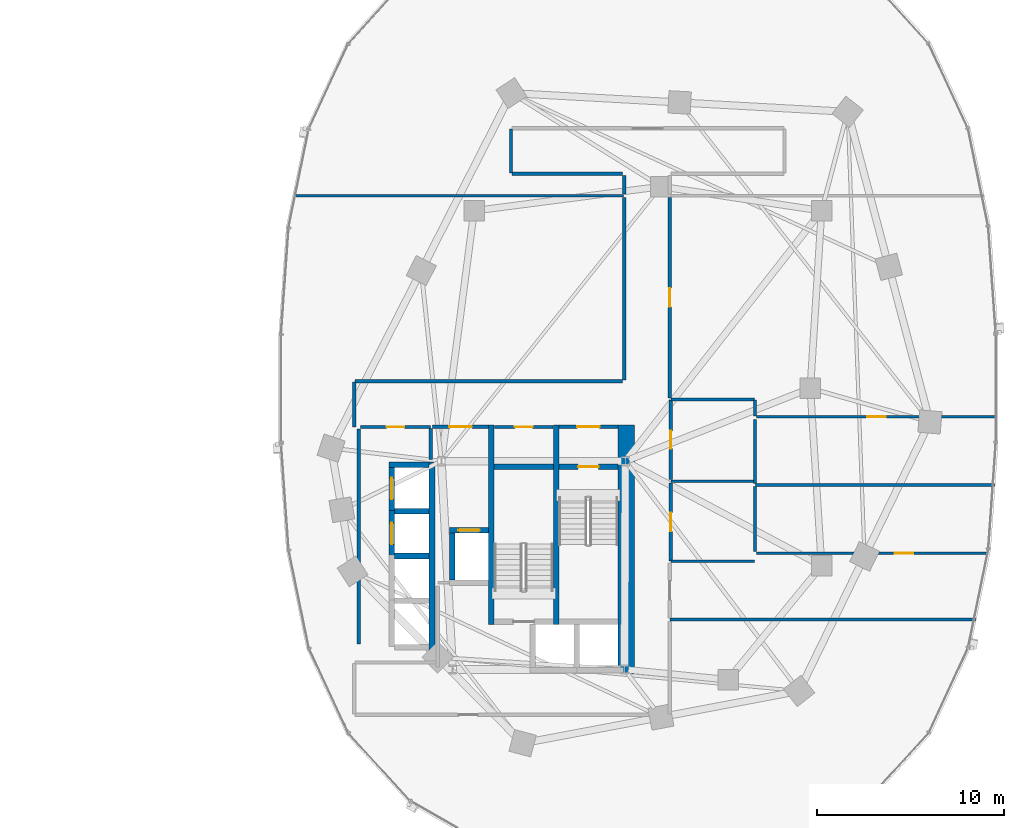
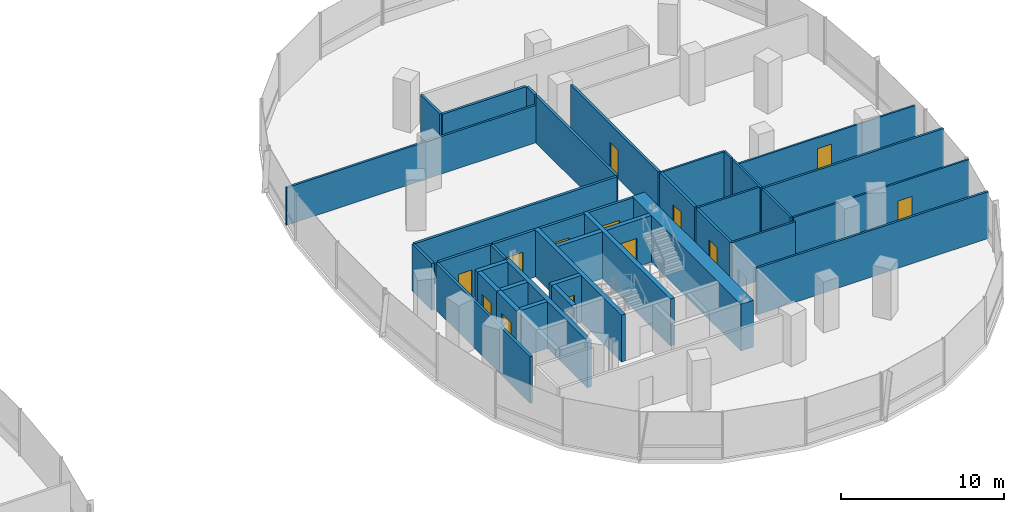
# One storey, part 13 of 21: 39 walls, 13 doors, 13 openings.
"""IFC4 building model written with IfcOpenShell, lengths in metres."""

from ifc_helpers import new_model, si_unit, direction, frame, frame_2d, origin, place, context, subcontext, project, spatial, rectangle, extrude, material, layer, layer_set, type_object, element, fill, save


model = new_model("IFC4")

# Units and contexts
model_context = context("Model", 3, precision=1e-05, world=origin(), true_north=direction((0.0, 1.0)))
body_context = subcontext(model_context, "Body", "Model", "MODEL_VIEW")
ifc_project = project(units=[si_unit("LENGTHUNIT", "METRE"), si_unit("AREAUNIT", "SQUARE_METRE"), si_unit("VOLUMEUNIT", "CUBIC_METRE"), si_unit("PLANEANGLEUNIT", "RADIAN"), si_unit("MASSUNIT", "GRAM", prefix="KILO"), si_unit("THERMODYNAMICTEMPERATUREUNIT", "KELVIN"), si_unit("POWERUNIT", "WATT")], contexts=[model_context])

# Site, building, storey
site_placement = place(None, origin())
site = spatial("IfcSite", under=ifc_project, at=site_placement, CompositionType="ELEMENT")
building_placement = place(site_placement, origin())
building = spatial("IfcBuilding", under=site, at=building_placement, Name="Cundina Bronze Exchange", CompositionType="ELEMENT")
storey_placement = place(building_placement, frame((0.0, 0.0, 54.39990234375)))
storey = spatial("IfcBuildingStorey", under=building, at=storey_placement, Name="L13", CompositionType="ELEMENT", Elevation=54.39990234375)

# Wall
ifc_material_1 = material(Name="Gypsum Fireboard Partition EI120")
ifc_layer_1 = layer(ifc_material_1, 0.179931640625, Name="Gypsum Fireboard Partition EI120")
ifc_layer_set_1 = layer_set([ifc_layer_1], Name="Gypsum Fireboard Partition EI120")
wall_type_1 = type_object("IfcWallType", Name="WL-COR-180", PredefinedType="PARTITIONING", material=ifc_layer_set_1)
wall_1_placement = place(storey_placement, frame((20.889892578125, -3.800048828125, 0.0), z_axis=(0.0, 0.0, 1.0), x_axis=(0.0, 1.0, 0.0)))
element("IfcWall", 1, at=wall_1_placement, inside=storey, type_object=wall_type_1, Name="L13 E Firefighting Lobby Side Wall", PredefinedType="PARTITIONING", context=body_context, shape_type="SweptSolid", body=[
    extrude(rectangle(XDim=1.650146484375, YDim=0.179931640625, at=frame_2d((0.8251953125, 0.0))), origin(), (0.0, 0.0, 1.0), 3.5),
])

# Wall, opening, door
wall_2_placement = place(storey_placement, frame((20.97998046875, -2.06005859375, 0.0), z_axis=(0.0, 0.0, 1.0), x_axis=(1.0, 0.0, 0.0)))
wall_2 = element("IfcWall", 2, at=wall_2_placement, inside=storey, type_object=wall_type_1, Name="L13 E Firefighting Lobby Exit Wall", PredefinedType="PARTITIONING", context=body_context, shape_type="SweptSolid", body=[
    extrude(rectangle(XDim=3.0, YDim=0.179931640625, at=frame_2d((1.5, 0.0))), origin(), (0.0, 0.0, 1.0), 3.5),
])
opening_1_placement = place(wall_2_placement, frame((0.89990234375, 0.0, 0.0)))
opening_1 = element("IfcOpeningElement", 3, at=opening_1_placement, cuts=wall_2, Name="Opening DF-01", PredefinedType="OPENING", context=body_context, shape_type="SweptSolid", body=[
    extrude(rectangle(XDim=1.199951171875, YDim=2.14990234375, at=frame_2d((0.60009765625, 1.074951171875))), frame((0.0, 0.099853515625, 0.0), z_axis=(0.0, -1.0, 0.0), x_axis=(1.0, 0.0, 0.0)), (0.0, 0.0, 1.0), 0.199951171875),
])
ifc_material_2 = material(Name="Steel ASTM A36 Painted", Category="steel")
door_type_1 = type_object("IfcDoorType", Name="DR-FFL-1200", OperationType="NOTDEFINED", PredefinedType="DOOR", material=ifc_material_2)
door_1_placement = place(opening_1_placement, origin())
door_1 = element("IfcDoor", 4, at=door_1_placement, inside=storey, type_object=door_type_1, Name="L13 E Firefighting Lobby Door", OperationType="SINGLE_SWING_LEFT", OverallHeight=2.14990234375, OverallWidth=1.199951171875, PredefinedType="DOOR", context=body_context, shape_type="SweptSolid", body=[
    extrude(rectangle(XDim=1.199951171875, YDim=2.14990234375, at=frame_2d((0.60009765625, 1.074951171875))), frame((0.0, 0.02490234375, 0.0), z_axis=(0.0, -1.0, 0.0), x_axis=(1.0, 0.0, 0.0)), (0.0, 0.0, 1.0), 0.050048828125),
])
fill(opening_1, door_1)

wall_3_placement = place(storey_placement, frame((27.739990234375, -2.06005859375, 0.0), z_axis=(0.0, 0.0, 1.0), x_axis=(1.0, 0.0, 0.0)))
wall_3 = element("IfcWall", 5, at=wall_3_placement, inside=storey, type_object=wall_type_1, Name="L13 E Stair Vestibule Exit Wall", PredefinedType="PARTITIONING", context=body_context, shape_type="SweptSolid", body=[
    extrude(rectangle(XDim=3.159912109375, YDim=0.179931640625, at=frame_2d((1.580078125, 0.0))), origin(), (0.0, 0.0, 1.0), 3.5),
])
opening_2_placement = place(wall_3_placement, frame((0.97998046875, 0.0, 0.0)))
opening_2 = element("IfcOpeningElement", 6, at=opening_2_placement, cuts=wall_3, Name="Opening DF-01", PredefinedType="OPENING", context=body_context, shape_type="SweptSolid", body=[
    extrude(rectangle(XDim=1.199951171875, YDim=2.14990234375, at=frame_2d((0.60009765625, 1.074951171875))), frame((0.0, 0.099853515625, 0.0), z_axis=(0.0, -1.0, 0.0), x_axis=(1.0, 0.0, 0.0)), (0.0, 0.0, 1.0), 0.199951171875),
])
door_2_placement = place(opening_2_placement, origin())
door_2 = element("IfcDoor", 7, at=door_2_placement, inside=storey, type_object=door_type_1, Name="L13 E Stair Vestibule Door", OperationType="SINGLE_SWING_RIGHT", OverallHeight=2.14990234375, OverallWidth=1.199951171875, PredefinedType="DOOR", context=body_context, shape_type="SweptSolid", body=[
    extrude(rectangle(XDim=1.199951171875, YDim=2.14990234375, at=frame_2d((0.60009765625, 1.074951171875))), frame((0.0, 0.02490234375, 0.0), z_axis=(0.0, -1.0, 0.0), x_axis=(1.0, 0.0, 0.0)), (0.0, 0.0, 1.0), 0.050048828125),
])
fill(opening_2, door_2)

# Wall
wall_4_placement = place(storey_placement, frame((17.02001953125, -13.679931640625, 0.0), z_axis=(0.0, 0.0, 1.0), x_axis=(0.0, 1.0, 0.0)))
element("IfcWall", 8, at=wall_4_placement, inside=storey, type_object=wall_type_1, Name="L13 Interior Partition 040", PredefinedType="PARTITIONING", context=body_context, shape_type="SweptSolid", body=[
    extrude(rectangle(XDim=11.510009765625, YDim=0.179931640625, at=frame_2d((5.7548828125, 0.0))), origin(), (0.0, 0.0, 1.0), 3.5),
])

# Wall, opening, door
wall_5_placement = place(storey_placement, frame((17.1201171875, -2.070068359375, 0.0), z_axis=(0.0, 0.0, 1.0), x_axis=(1.0, 0.0, 0.0)))
wall_5 = element("IfcWall", 9, at=wall_5_placement, inside=storey, type_object=wall_type_1, Name="L13 Interior Partition 041", PredefinedType="PARTITIONING", context=body_context, shape_type="SweptSolid", body=[
    extrude(rectangle(XDim=3.75, YDim=0.179931640625, at=frame_2d((1.875, 0.0))), origin(), (0.0, 0.0, 1.0), 3.5),
])
opening_3_placement = place(wall_5_placement, frame((1.39990234375, 0.0, 0.0)))
opening_3 = element("IfcOpeningElement", 10, at=opening_3_placement, cuts=wall_5, Name="Opening DW-01", PredefinedType="OPENING", context=body_context, shape_type="SweptSolid", body=[
    extrude(rectangle(XDim=0.949951171875, YDim=2.10009765625, at=frame_2d((0.47509765625, 1.050048828125))), frame((0.0, 0.099853515625, 0.0), z_axis=(0.0, -1.0, 0.0), x_axis=(1.0, 0.0, 0.0)), (0.0, 0.0, 1.0), 0.199951171875),
])
ifc_material_3 = material(Name="Solid Andean Oak Timber Grade A", Category="wood")
door_type_2 = type_object("IfcDoorType", Name="DR-WC-950", OperationType="NOTDEFINED", PredefinedType="DOOR", material=ifc_material_3)
door_3_placement = place(opening_3_placement, origin())
door_3 = element("IfcDoor", 11, at=door_3_placement, inside=storey, type_object=door_type_2, Name="L13 Interior Door 041", OperationType="SINGLE_SWING_LEFT", OverallHeight=2.10009765625, OverallWidth=0.949951171875, PredefinedType="DOOR", context=body_context, shape_type="SweptSolid", body=[
    extrude(rectangle(XDim=0.949951171875, YDim=2.10009765625, at=frame_2d((0.47509765625, 1.050048828125))), frame((0.0, 0.02490234375, 0.0), z_axis=(0.0, -1.0, 0.0), x_axis=(1.0, 0.0, 0.0)), (0.0, 0.0, 1.0), 0.050048828125),
])
fill(opening_3, door_3)

wall_6_placement = place(storey_placement, frame((24.300048828125, -2.070068359375, 0.0), z_axis=(0.0, 0.0, 1.0), x_axis=(1.0, 0.0, 0.0)))
wall_6 = element("IfcWall", 12, at=wall_6_placement, inside=storey, type_object=wall_type_1, Name="L13 Interior Partition 044", PredefinedType="PARTITIONING", context=body_context, shape_type="SweptSolid", body=[
    extrude(rectangle(XDim=3.119873046875, YDim=0.179931640625, at=frame_2d((1.56005859375, 0.0))), origin(), (0.0, 0.0, 1.0), 3.5),
])
opening_4_placement = place(wall_6_placement, frame((1.0849609375, 0.0, 0.0)))
opening_4 = element("IfcOpeningElement", 13, at=opening_4_placement, cuts=wall_6, Name="Opening DW-01", PredefinedType="OPENING", context=body_context, shape_type="SweptSolid", body=[
    extrude(rectangle(XDim=0.949951171875, YDim=2.10009765625, at=frame_2d((0.47509765625, 1.050048828125))), frame((0.0, 0.099853515625, 0.0), z_axis=(0.0, -1.0, 0.0), x_axis=(1.0, 0.0, 0.0)), (0.0, 0.0, 1.0), 0.199951171875),
])
door_4_placement = place(opening_4_placement, origin())
door_4 = element("IfcDoor", 14, at=door_4_placement, inside=storey, type_object=door_type_2, Name="L13 Interior Door 044", OperationType="SINGLE_SWING_LEFT", OverallHeight=2.10009765625, OverallWidth=0.949951171875, PredefinedType="DOOR", context=body_context, shape_type="SweptSolid", body=[
    extrude(rectangle(XDim=0.949951171875, YDim=2.10009765625, at=frame_2d((0.47509765625, 1.050048828125))), frame((0.0, 0.02490234375, 0.0), z_axis=(0.0, -1.0, 0.0), x_axis=(1.0, 0.0, 0.0)), (0.0, 0.0, 1.0), 0.050048828125),
])
fill(opening_4, door_4)

wall_7_placement = place(storey_placement, frame((33.719970703125, -4.8798828125, 0.0), z_axis=(0.0, 0.0, 1.0), x_axis=(0.0, 1.0, 0.0)))
wall_7 = element("IfcWall", 15, at=wall_7_placement, inside=storey, type_object=wall_type_1, Name="L13 Interior Partition 051", PredefinedType="PARTITIONING", context=body_context, shape_type="SweptSolid", body=[
    extrude(rectangle(XDim=4.259765625, YDim=0.179931640625, at=frame_2d((2.1298828125, 0.0))), origin(), (0.0, 0.0, 1.0), 3.5),
])
opening_5_placement = place(wall_7_placement, frame((1.655029296875, 0.0, 0.0)))
opening_5 = element("IfcOpeningElement", 16, at=opening_5_placement, cuts=wall_7, Name="Opening DW-01", PredefinedType="OPENING", context=body_context, shape_type="SweptSolid", body=[
    extrude(rectangle(XDim=0.949951171875, YDim=2.10009765625, at=frame_2d((0.47509765625, 1.050048828125))), frame((0.0, 0.099853515625, 0.0), z_axis=(0.0, -1.0, 0.0), x_axis=(1.0, 0.0, 0.0)), (0.0, 0.0, 1.0), 0.199951171875),
])
door_5_placement = place(opening_5_placement, origin())
door_5 = element("IfcDoor", 17, at=door_5_placement, inside=storey, type_object=door_type_2, Name="L13 Interior Door 051", OperationType="SINGLE_SWING_LEFT", OverallHeight=2.10009765625, OverallWidth=0.949951171875, PredefinedType="DOOR", context=body_context, shape_type="SweptSolid", body=[
    extrude(rectangle(XDim=0.949951171875, YDim=2.10009765625, at=frame_2d((0.47509765625, 1.050048828125))), frame((0.0, 0.02490234375, 0.0), z_axis=(0.0, -1.0, 0.0), x_axis=(1.0, 0.0, 0.0)), (0.0, 0.0, 1.0), 0.050048828125),
])
fill(opening_5, door_5)

wall_8_placement = place(storey_placement, frame((33.719970703125, -9.239990234375, 0.0), z_axis=(0.0, 0.0, 1.0), x_axis=(0.0, 1.0, 0.0)))
wall_8 = element("IfcWall", 18, at=wall_8_placement, inside=storey, type_object=wall_type_1, Name="L13 Interior Partition 052", PredefinedType="PARTITIONING", context=body_context, shape_type="SweptSolid", body=[
    extrude(rectangle(XDim=4.159912109375, YDim=0.179931640625, at=frame_2d((2.080078125, 0.0))), origin(), (0.0, 0.0, 1.0), 3.5),
])
opening_6_placement = place(wall_8_placement, frame((1.580078125, 0.0, 0.0)))
opening_6 = element("IfcOpeningElement", 19, at=opening_6_placement, cuts=wall_8, Name="Opening DO-01", PredefinedType="OPENING", context=body_context, shape_type="SweptSolid", body=[
    extrude(rectangle(XDim=1.0, YDim=2.14990234375, at=frame_2d((0.5, 1.074951171875))), frame((0.0, 0.099853515625, 0.0), z_axis=(0.0, -1.0, 0.0), x_axis=(1.0, 0.0, 0.0)), (0.0, 0.0, 1.0), 0.199951171875),
])
door_type_3 = type_object("IfcDoorType", Name="DR-OFF-1000", OperationType="NOTDEFINED", PredefinedType="DOOR", material=ifc_material_3)
door_6_placement = place(opening_6_placement, origin())
door_6 = element("IfcDoor", 20, at=door_6_placement, inside=storey, type_object=door_type_3, Name="L13 Interior Door 052", OperationType="SINGLE_SWING_LEFT", OverallHeight=2.14990234375, OverallWidth=1.0, PredefinedType="DOOR", context=body_context, shape_type="SweptSolid", body=[
    extrude(rectangle(XDim=1.0, YDim=2.14990234375, at=frame_2d((0.5, 1.074951171875))), frame((0.0, 0.02490234375, 0.0), z_axis=(0.0, -1.0, 0.0), x_axis=(1.0, 0.0, 0.0)), (0.0, 0.0, 1.0), 0.050048828125),
])
fill(opening_6, door_6)

# Walls
wall_9_placement = place(storey_placement, frame((31.14990234375, 0.3701171875, 0.0), z_axis=(0.0, 0.0, 1.0), x_axis=(-1.0, 0.0, 0.0)))
element("IfcWall", 21, at=wall_9_placement, inside=storey, type_object=wall_type_1, Name="L13 Interior Partition 059", PredefinedType="PARTITIONING", context=body_context, shape_type="SweptSolid", body=[
    extrude(rectangle(XDim=14.328369140625, YDim=0.179931640625, at=frame_2d((7.1640625, 0.0))), origin(), (0.0, 0.0, 1.0), 3.5),
])
wall_10_placement = place(storey_placement, frame((31.22998046875, 10.219970703125, 0.0), z_axis=(0.0, 0.0, 1.0), x_axis=(0.0, -1.0, 0.0)))
element("IfcWall", 22, at=wall_10_placement, inside=storey, type_object=wall_type_1, Name="L13 Interior Partition 060", PredefinedType="PARTITIONING", context=body_context, shape_type="SweptSolid", body=[
    extrude(rectangle(XDim=9.77001953125, YDim=0.179931640625, at=frame_2d((4.885009765625, 0.0))), origin(), (0.0, 0.0, 1.0), 3.5),
])
wall_11_placement = place(storey_placement, frame((16.780029296875, 0.32861328125, 0.0), z_axis=(0.0, 0.0, 1.0), x_axis=(0.0, -1.0, 0.0)))
element("IfcWall", 23, at=wall_11_placement, inside=storey, type_object=wall_type_1, Name="L13 Interior Partition 064", PredefinedType="PARTITIONING", context=body_context, shape_type="SweptSolid", body=[
    extrude(rectangle(XDim=2.38720703125, YDim=0.179931640625, at=frame_2d((1.193603515625, 0.0))), origin(), (0.0, 0.0, 1.0), 3.5),
])

# Wall, opening, door
wall_12_placement = place(storey_placement, frame((33.669921875, -0.508544921875, 0.0), z_axis=(0.0, 0.0, 1.0), x_axis=(0.0, 1.0, 0.0)))
wall_12 = element("IfcWall", 24, at=wall_12_placement, inside=storey, type_object=wall_type_1, Name="L13 Interior Partition 065", PredefinedType="PARTITIONING", context=body_context, shape_type="SweptSolid", body=[
    extrude(rectangle(XDim=10.728515625, YDim=0.179931640625, at=frame_2d((5.3642578125, 0.0))), origin(), (0.0, 0.0, 1.0), 3.5),
])
opening_7_placement = place(wall_12_placement, frame((4.8642578125, 0.0, 0.0)))
opening_7 = element("IfcOpeningElement", 25, at=opening_7_placement, cuts=wall_12, Name="Opening DO-01", PredefinedType="OPENING", context=body_context, shape_type="SweptSolid", body=[
    extrude(rectangle(XDim=1.0, YDim=2.14990234375, at=frame_2d((0.5, 1.074951171875))), frame((0.0, 0.099853515625, 0.0), z_axis=(0.0, -1.0, 0.0), x_axis=(1.0, 0.0, 0.0)), (0.0, 0.0, 1.0), 0.199951171875),
])
door_7_placement = place(opening_7_placement, origin())
door_7 = element("IfcDoor", 26, at=door_7_placement, inside=storey, type_object=door_type_3, Name="L13 Interior Door 065", OperationType="SINGLE_SWING_RIGHT", OverallHeight=2.14990234375, OverallWidth=1.0, PredefinedType="DOOR", context=body_context, shape_type="SweptSolid", body=[
    extrude(rectangle(XDim=1.0, YDim=2.14990234375, at=frame_2d((0.5, 1.074951171875))), frame((0.0, 0.02490234375, 0.0), z_axis=(0.0, -1.0, 0.0), x_axis=(1.0, 0.0, 0.0)), (0.0, 0.0, 1.0), 0.050048828125),
])
fill(opening_7, door_7)

# Walls
wall_13_placement = place(storey_placement, frame((25.221435546875, 11.47998046875, 0.0), z_axis=(0.0, 0.0, 1.0), x_axis=(1.0, 0.0, 0.0)))
element("IfcWall", 27, at=wall_13_placement, inside=storey, type_object=wall_type_1, Name="L13 Interior Partition 068", PredefinedType="PARTITIONING", context=body_context, shape_type="SweptSolid", body=[
    extrude(rectangle(XDim=5.928466796875, YDim=0.179931640625, at=frame_2d((2.96435546875, 0.0))), origin(), (0.0, 0.0, 1.0), 3.5),
])
wall_14_placement = place(storey_placement, frame((25.179931640625, 13.87841796875, 0.0), z_axis=(0.0, 0.0, 1.0), x_axis=(0.0, -1.0, 0.0)))
element("IfcWall", 28, at=wall_14_placement, inside=storey, type_object=wall_type_1, Name="L13 Interior Partition 070", PredefinedType="PARTITIONING", context=body_context, shape_type="SweptSolid", body=[
    extrude(rectangle(XDim=2.35693359375, YDim=0.179931640625, at=frame_2d((1.178466796875, 0.0))), origin(), (0.0, 0.0, 1.0), 3.5),
])
wall_15_placement = place(storey_placement, frame((31.22998046875, 11.39990234375, 0.0), z_axis=(0.0, 0.0, 1.0), x_axis=(0.0, -1.0, 0.0)))
element("IfcWall", 29, at=wall_15_placement, inside=storey, type_object=wall_type_1, Name="L13 Interior Partition 072", PredefinedType="PARTITIONING", context=body_context, shape_type="SweptSolid", body=[
    extrude(rectangle(XDim=1.0, YDim=0.179931640625, at=frame_2d((0.5, 0.0))), origin(), (0.0, 0.0, 1.0), 3.5),
])
ifc_material_4 = material(Name="Concrete C60/75", Category="concrete")
ifc_layer_2 = layer(ifc_material_4, 0.89990234375, Name="Concrete C60/75", Category="concrete")
ifc_layer_set_2 = layer_set([ifc_layer_2], Name="Concrete C60/75")
wall_type_2 = type_object("IfcWallType", Name="WL-CORE-900", PredefinedType="SHEAR", material=ifc_layer_set_2)
wall_16_placement = place(storey_placement, frame((31.35009765625, -15.300048828125, 0.0), z_axis=(0.0, 0.0, 1.0), x_axis=(0.0, 1.0, 0.0)))
element("IfcWall", 30, at=wall_16_placement, inside=storey, type_object=wall_type_2, Name="L13 E Primary Core Shear Spine Wall", PredefinedType="SHEAR", context=body_context, shape_type="SweptSolid", body=[
    extrude(rectangle(XDim=13.330078125, YDim=0.89990234375, at=frame_2d((6.6650390625, 0.0))), origin(), (0.0, 0.0, 1.0), 3.5),
])

# Wall, opening, door
ifc_material_5 = material(Name="Gypsum Acoustic Partition EI60")
ifc_layer_3 = layer(ifc_material_5, 0.125, Name="Gypsum Acoustic Partition EI60")
ifc_layer_set_3 = layer_set([ifc_layer_3], Name="Gypsum Acoustic Partition EI60")
wall_type_3 = type_object("IfcWallType", Name="WL-OFF-125", PredefinedType="PARTITIONING", material=ifc_layer_set_3)
wall_17_placement = place(storey_placement, frame((50.74169921875, -8.830078125, 0.0), z_axis=(0.0, 0.0, 1.0), x_axis=(-1.0, 0.0, 0.0)))
wall_17 = element("IfcWall", 31, at=wall_17_placement, inside=storey, type_object=wall_type_3, Name="L13 Interior Partition 073", PredefinedType="PARTITIONING", context=body_context, shape_type="SweptSolid", body=[
    extrude(rectangle(XDim=12.421630859375, YDim=0.125, at=frame_2d((6.2109375, 0.0))), origin(), (0.0, 0.0, 1.0), 3.5),
])
opening_8_placement = place(wall_17_placement, frame((4.03369140625, 0.0, 0.0)))
opening_8 = element("IfcOpeningElement", 32, at=opening_8_placement, cuts=wall_17, Name="Opening DO-01", PredefinedType="OPENING", context=body_context, shape_type="SweptSolid", body=[
    extrude(rectangle(XDim=1.0, YDim=2.14990234375, at=frame_2d((0.5, 1.074951171875))), frame((0.0, 0.072509765625, 0.0), z_axis=(0.0, -1.0, 0.0), x_axis=(1.0, 0.0, 0.0)), (0.0, 0.0, 1.0), 0.14501953125),
])
door_8_placement = place(opening_8_placement, origin())
door_8 = element("IfcDoor", 33, at=door_8_placement, inside=storey, type_object=door_type_3, Name="L13 Interior Door 073", OperationType="SINGLE_SWING_LEFT", OverallHeight=2.14990234375, OverallWidth=1.0, PredefinedType="DOOR", context=body_context, shape_type="SweptSolid", body=[
    extrude(rectangle(XDim=1.0, YDim=2.14990234375, at=frame_2d((0.5, 1.074951171875))), frame((0.0, 0.02490234375, 0.0), z_axis=(0.0, -1.0, 0.0), x_axis=(1.0, 0.0, 0.0)), (0.0, 0.0, 1.0), 0.050048828125),
])
fill(opening_8, door_8)

wall_18_placement = place(storey_placement, frame((38.320068359375, -1.530029296875, 0.0), z_axis=(0.0, 0.0, 1.0), x_axis=(1.0, 0.0, 0.0)))
wall_18 = element("IfcWall", 34, at=wall_18_placement, inside=storey, type_object=wall_type_3, Name="L13 Interior Partition 074", PredefinedType="PARTITIONING", context=body_context, shape_type="SweptSolid", body=[
    extrude(rectangle(XDim=12.837890625, YDim=0.125, at=frame_2d((6.4189453125, 0.0))), origin(), (0.0, 0.0, 1.0), 2.967041015625),
])
opening_9_placement = place(wall_18_placement, frame((5.9189453125, 0.0, 0.0)))
opening_9 = element("IfcOpeningElement", 35, at=opening_9_placement, cuts=wall_18, Name="Opening DO-01", PredefinedType="OPENING", context=body_context, shape_type="SweptSolid", body=[
    extrude(rectangle(XDim=1.0, YDim=2.14990234375, at=frame_2d((0.5, 1.074951171875))), frame((0.0, 0.072509765625, 0.0), z_axis=(0.0, -1.0, 0.0), x_axis=(1.0, 0.0, 0.0)), (0.0, 0.0, 1.0), 0.14501953125),
])
door_9_placement = place(opening_9_placement, origin())
door_9 = element("IfcDoor", 36, at=door_9_placement, inside=storey, type_object=door_type_3, Name="L13 Interior Door 074", OperationType="SINGLE_SWING_LEFT", OverallHeight=2.14990234375, OverallWidth=1.0, PredefinedType="DOOR", context=body_context, shape_type="SweptSolid", body=[
    extrude(rectangle(XDim=1.0, YDim=2.14990234375, at=frame_2d((0.5, 1.074951171875))), frame((0.0, 0.02490234375, 0.0), z_axis=(0.0, -1.0, 0.0), x_axis=(1.0, 0.0, 0.0)), (0.0, 0.0, 1.0), 0.050048828125),
])
fill(opening_9, door_9)

# Walls
ifc_material_6 = material(Name="Concrete C50/60", Category="concrete")
ifc_layer_4 = layer(ifc_material_6, 0.300048828125, Name="Concrete C50/60", Category="concrete")
ifc_layer_set_4 = layer_set([ifc_layer_4], Name="Concrete C50/60")
wall_type_4 = type_object("IfcWallType", Name="WL-SHFT-300", PredefinedType="SHEAR", material=ifc_layer_set_4)
for number, where, z_axis, x_axis, name in (
    (37, (27.590087890625, -12.64990234375, 0.0), (0.0, 0.0, 1.0), (0.0, 1.0, 0.0), "L13 E Stair Shaft Dividing Shear Wall"),
    (38, (24.1298828125, -12.64990234375, 0.0), (0.0, 0.0, 1.0), (0.0, 1.0, 0.0), "L13 E Stair 2 East Shear Wall"),
):
    element("IfcWall", number, at=place(storey_placement, frame(where, z_axis=z_axis, x_axis=x_axis)), inside=storey, type_object=wall_type_4, Name=name, PredefinedType="SHEAR", context=body_context, shape_type="SweptSolid", body=[
        extrude(rectangle(XDim=10.679931640625, YDim=0.300048828125, at=frame_2d((5.33984375, 0.0))), origin(), (0.0, 0.0, 1.0), 3.5),
    ])

# Wall, opening, door
wall_19_placement = place(storey_placement, frame((27.739990234375, -4.199951171875, 0.0), z_axis=(0.0, 0.0, 1.0), x_axis=(1.0, 0.0, 0.0)))
wall_19 = element("IfcWall", 39, at=wall_19_placement, inside=storey, type_object=wall_type_4, Name="L13 Stair E1 Landing Wall", PredefinedType="SHEAR", context=body_context, shape_type="SweptSolid", body=[
    extrude(rectangle(XDim=3.159912109375, YDim=0.300048828125, at=frame_2d((1.580078125, 0.0))), origin(), (0.0, 0.0, 1.0), 3.5),
])
opening_10_placement = place(wall_19_placement, frame((1.030029296875, 0.0, 0.0)))
opening_10 = element("IfcOpeningElement", 40, at=opening_10_placement, cuts=wall_19, Name="Opening DS-01", PredefinedType="OPENING", context=body_context, shape_type="SweptSolid", body=[
    extrude(rectangle(XDim=1.10009765625, YDim=2.14990234375, at=frame_2d((0.550048828125, 1.074951171875))), frame((0.0, 0.159912109375, 0.0), z_axis=(0.0, -1.0, 0.0), x_axis=(1.0, 0.0, 0.0)), (0.0, 0.0, 1.0), 0.320068359375),
])
door_type_4 = type_object("IfcDoorType", Name="DR-STR-1100", OperationType="NOTDEFINED", PredefinedType="DOOR", material=ifc_material_2)
door_10_placement = place(opening_10_placement, origin())
door_10 = element("IfcDoor", 41, at=door_10_placement, inside=storey, type_object=door_type_4, Name="L13 Smokeproof Stair E1 Door", OperationType="SINGLE_SWING_LEFT", OverallHeight=2.14990234375, OverallWidth=1.10009765625, PredefinedType="DOOR", context=body_context, shape_type="SweptSolid", body=[
    extrude(rectangle(XDim=1.10009765625, YDim=2.14990234375, at=frame_2d((0.550048828125, 1.074951171875))), frame((0.0, 0.02490234375, 0.0), z_axis=(0.0, -1.0, 0.0), x_axis=(1.0, 0.0, 0.0)), (0.0, 0.0, 1.0), 0.050048828125),
])
fill(opening_10, door_10)

# Wall
wall_20_placement = place(storey_placement, frame((24.280029296875, -4.199951171875, 0.0), z_axis=(0.0, 0.0, 1.0), x_axis=(1.0, 0.0, 0.0)))
element("IfcWall", 42, at=wall_20_placement, inside=storey, type_object=wall_type_4, Name="L13 Stair E2 Far Shaft Wall", PredefinedType="SHEAR", context=body_context, shape_type="SweptSolid", body=[
    extrude(rectangle(XDim=3.159912109375, YDim=0.300048828125, at=frame_2d((1.580078125, 0.0))), origin(), (0.0, 0.0, 1.0), 3.5),
])

# Wall, opening, door
wall_21_placement = place(storey_placement, frame((21.8798828125, -7.60009765625, 0.0), z_axis=(0.0, 0.0, 1.0), x_axis=(1.0, 0.0, 0.0)))
wall_21 = element("IfcWall", 43, at=wall_21_placement, inside=storey, type_object=wall_type_4, Name="L13 FFL-E Hoistway Front Wall", PredefinedType="SHEAR", context=body_context, shape_type="SweptSolid", body=[
    extrude(rectangle(XDim=2.10009765625, YDim=0.300048828125, at=frame_2d((1.050048828125, 0.0))), origin(), (0.0, 0.0, 1.0), 3.5),
])
opening_11_placement = place(wall_21_placement, frame((0.47509765625, 0.0, 0.0)))
opening_11 = element("IfcOpeningElement", 44, at=opening_11_placement, cuts=wall_21, Name="Opening LD-01", PredefinedType="OPENING", context=body_context, shape_type="SweptSolid", body=[
    extrude(rectangle(XDim=1.14990234375, YDim=2.199951171875, at=frame_2d((0.574951171875, 1.10009765625))), frame((0.0, 0.159912109375, 0.0), z_axis=(0.0, -1.0, 0.0), x_axis=(1.0, 0.0, 0.0)), (0.0, 0.0, 1.0), 0.320068359375),
])
door_type_5 = type_object("IfcDoorType", Name="DR-LND-1150", OperationType="NOTDEFINED", PredefinedType="TRAPDOOR", material=ifc_material_2)
door_11_placement = place(opening_11_placement, origin())
door_11 = element("IfcDoor", 45, at=door_11_placement, inside=storey, type_object=door_type_5, Name="L13 FFL-E Sliding Landing Door", OperationType="SLIDING_TO_LEFT", OverallHeight=2.199951171875, OverallWidth=1.14990234375, PredefinedType="TRAPDOOR", context=body_context, shape_type="SweptSolid", body=[
    extrude(rectangle(XDim=1.14990234375, YDim=2.199951171875, at=frame_2d((0.574951171875, 1.10009765625))), frame((0.0, 0.02490234375, 0.0), z_axis=(0.0, -1.0, 0.0), x_axis=(1.0, 0.0, 0.0)), (0.0, 0.0, 1.0), 0.050048828125),
])
fill(opening_11, door_11)

# Walls
wall_22_placement = place(storey_placement, frame((22.030029296875, -10.25, 0.0), z_axis=(0.0, 0.0, 1.0), x_axis=(0.0, 1.0, 0.0)))
element("IfcWall", 46, at=wall_22_placement, inside=storey, type_object=wall_type_4, Name="L13 FFL-E Hoistway Side Wall", PredefinedType="SHEAR", context=body_context, shape_type="SweptSolid", body=[
    extrude(rectangle(XDim=2.5, YDim=0.300048828125, at=frame_2d((1.25, 0.0))), origin(), (0.0, 0.0, 1.0), 3.5),
])
wall_23_placement = place(storey_placement, frame((20.949951171875, -14.0, 0.0), z_axis=(0.0, 0.0, 1.0), x_axis=(0.0, 1.0, 0.0)))
element("IfcWall", 47, at=wall_23_placement, inside=storey, type_object=wall_type_4, Name="L13 E Passenger Bank Hoistway Back Wall", PredefinedType="SHEAR", context=body_context, shape_type="SweptSolid", body=[
    extrude(rectangle(XDim=10.050048828125, YDim=0.300048828125, at=frame_2d((5.02490234375, 0.0))), origin(), (0.0, 0.0, 1.0), 3.5),
])
wall_24_placement = place(storey_placement, frame((18.64990234375, -4.10009765625, 0.0), z_axis=(0.0, 0.0, 1.0), x_axis=(1.0, 0.0, 0.0)))
element("IfcWall", 48, at=wall_24_placement, inside=storey, type_object=wall_type_4, Name="L13 E Passenger Bank North Cap Wall", PredefinedType="SHEAR", context=body_context, shape_type="SweptSolid", body=[
    extrude(rectangle(XDim=2.150146484375, YDim=0.300048828125, at=frame_2d((1.0751953125, 0.0))), origin(), (0.0, 0.0, 1.0), 3.5),
])
for number, where, z_axis, x_axis, name in (
    (49, (18.949951171875, -8.97509765625, 0.0), (0.0, 0.0, 1.0), (1.0, 0.0, 0.0), "L13 E Passenger Hoistway Divider 2"),
    (50, (18.949951171875, -6.574951171875, 0.0), (0.0, 0.0, 1.0), (1.0, 0.0, 0.0), "L13 E Passenger Hoistway Divider 3"),
):
    element("IfcWall", number, at=place(storey_placement, frame(where, z_axis=z_axis, x_axis=x_axis)), inside=storey, type_object=wall_type_4, Name=name, PredefinedType="SHEAR", context=body_context, shape_type="SweptSolid", body=[
        extrude(rectangle(XDim=1.85009765625, YDim=0.300048828125, at=frame_2d((0.925048828125, 0.0))), origin(), (0.0, 0.0, 1.0), 3.5),
    ])

# Wall, opening, door
wall_25_placement = place(storey_placement, frame((18.800048828125, -9.02001953125, 0.0), z_axis=(0.0, 0.0, 1.0), x_axis=(0.0, 1.0, 0.0)))
wall_25 = element("IfcWall", 51, at=wall_25_placement, inside=storey, type_object=wall_type_4, Name="L13 PL-E1 Hoistway Front Wall", PredefinedType="SHEAR", context=body_context, shape_type="SweptSolid", body=[
    extrude(rectangle(XDim=2.489990234375, YDim=0.300048828125, at=frame_2d((1.2451171875, 0.0))), origin(), (0.0, 0.0, 1.0), 3.5),
])
opening_12_placement = place(wall_25_placement, frame((0.669921875, 0.0, 0.0)))
opening_12 = element("IfcOpeningElement", 52, at=opening_12_placement, cuts=wall_25, Name="Opening LD-01", PredefinedType="OPENING", context=body_context, shape_type="SweptSolid", body=[
    extrude(rectangle(XDim=1.14990234375, YDim=2.199951171875, at=frame_2d((0.574951171875, 1.10009765625))), frame((0.0, 0.159912109375, 0.0), z_axis=(0.0, -1.0, 0.0), x_axis=(1.0, 0.0, 0.0)), (0.0, 0.0, 1.0), 0.320068359375),
])
door_12_placement = place(opening_12_placement, origin())
door_12 = element("IfcDoor", 53, at=door_12_placement, inside=storey, type_object=door_type_5, Name="L13 PL-E1 Sliding Landing Door", OperationType="SLIDING_TO_LEFT", OverallHeight=2.199951171875, OverallWidth=1.14990234375, PredefinedType="TRAPDOOR", context=body_context, shape_type="SweptSolid", body=[
    extrude(rectangle(XDim=1.14990234375, YDim=2.199951171875, at=frame_2d((0.574951171875, 1.10009765625))), frame((0.0, 0.02490234375, 0.0), z_axis=(0.0, -1.0, 0.0), x_axis=(1.0, 0.0, 0.0)), (0.0, 0.0, 1.0), 0.050048828125),
])
fill(opening_12, door_12)

wall_26_placement = place(storey_placement, frame((18.800048828125, -6.6201171875, 0.0), z_axis=(0.0, 0.0, 1.0), x_axis=(0.0, 1.0, 0.0)))
wall_26 = element("IfcWall", 54, at=wall_26_placement, inside=storey, type_object=wall_type_4, Name="L13 PL-E2 Hoistway Front Wall", PredefinedType="SHEAR", context=body_context, shape_type="SweptSolid", body=[
    extrude(rectangle(XDim=2.490234375, YDim=0.300048828125, at=frame_2d((1.2451171875, 0.0))), origin(), (0.0, 0.0, 1.0), 3.5),
])
opening_13_placement = place(wall_26_placement, frame((0.669921875, 0.0, 0.0)))
opening_13 = element("IfcOpeningElement", 55, at=opening_13_placement, cuts=wall_26, Name="Opening LD-01", PredefinedType="OPENING", context=body_context, shape_type="SweptSolid", body=[
    extrude(rectangle(XDim=1.14990234375, YDim=2.199951171875, at=frame_2d((0.574951171875, 1.10009765625))), frame((0.0, 0.159912109375, 0.0), z_axis=(0.0, -1.0, 0.0), x_axis=(1.0, 0.0, 0.0)), (0.0, 0.0, 1.0), 0.320068359375),
])
door_13_placement = place(opening_13_placement, origin())
door_13 = element("IfcDoor", 56, at=door_13_placement, inside=storey, type_object=door_type_5, Name="L13 PL-E2 Sliding Landing Door", OperationType="SLIDING_TO_LEFT", OverallHeight=2.199951171875, OverallWidth=1.14990234375, PredefinedType="TRAPDOOR", context=body_context, shape_type="SweptSolid", body=[
    extrude(rectangle(XDim=1.14990234375, YDim=2.199951171875, at=frame_2d((0.574951171875, 1.10009765625))), frame((0.0, 0.02490234375, 0.0), z_axis=(0.0, -1.0, 0.0), x_axis=(1.0, 0.0, 0.0)), (0.0, 0.0, 1.0), 0.050048828125),
])
fill(opening_13, door_13)

# Walls
ifc_layer_5 = layer(ifc_material_5, 0.14990234375, Name="Gypsum Acoustic Partition EI60")
ifc_layer_set_5 = layer_set([ifc_layer_5], Name="Gypsum Acoustic Partition EI60")
wall_type_5 = type_object("IfcWallType", Name="WL-TEN-150", PredefinedType="PARTITIONING", material=ifc_layer_set_5)
wall_27_placement = place(storey_placement, frame((13.536376953125, 10.31005859375, 0.0), z_axis=(0.0, 0.0, 1.0), x_axis=(1.0, 0.0, 0.0)))
element("IfcWall", 57, at=wall_27_placement, inside=storey, type_object=wall_type_5, Name="L13 Interior Partition 053", PredefinedType="PARTITIONING", context=body_context, shape_type="SweptSolid", body=[
    extrude(rectangle(XDim=17.66357421875, YDim=0.14990234375, at=frame_2d((8.831787109375, 0.0))), origin(), (0.0, 0.0, 1.0), 2.80517578125),
])
wall_28_placement = place(storey_placement, frame((38.27001953125, -5.179931640625, 0.0), z_axis=(0.0, 0.0, 1.0), x_axis=(1.0, 0.0, 0.0)))
element("IfcWall", 58, at=wall_28_placement, inside=storey, type_object=wall_type_5, Name="L13 Interior Partition 055", PredefinedType="PARTITIONING", context=body_context, shape_type="SweptSolid", body=[
    extrude(rectangle(XDim=12.779541015625, YDim=0.14990234375, at=frame_2d((6.3896484375, 0.0))), origin(), (0.0, 0.0, 1.0), 3.5),
])
wall_29_placement = place(storey_placement, frame((33.699951171875, -12.3798828125, 0.0), z_axis=(0.0, 0.0, 1.0), x_axis=(1.0, 0.0, 0.0)))
element("IfcWall", 59, at=wall_29_placement, inside=storey, type_object=wall_type_5, Name="L13 Interior Partition 056", PredefinedType="PARTITIONING", context=body_context, shape_type="SweptSolid", body=[
    extrude(rectangle(XDim=16.338134765625, YDim=0.14990234375, at=frame_2d((8.1689453125, 0.0))), origin(), (0.0, 0.0, 1.0), 3.5),
])
ifc_material_7 = material(Name="Moisture-Resistant Masonry Block Grade M15", Category="masonry")
ifc_layer_6 = layer(ifc_material_7, 0.139892578125, Name="Moisture-Resistant Masonry Block Grade M15", Category="masonry")
ifc_layer_set_6 = layer_set([ifc_layer_6], Name="Moisture-Resistant Masonry Block Grade M15")
wall_type_6 = type_object("IfcWallType", Name="WL-WET-140", PredefinedType="PARTITIONING", material=ifc_layer_set_6)
wall_30_placement = place(storey_placement, frame((38.239990234375, -8.7451171875, 0.0), z_axis=(0.0, 0.0, 1.0), x_axis=(0.0, 1.0, 0.0)))
element("IfcWall", 60, at=wall_30_placement, inside=storey, type_object=wall_type_6, Name="L13 Interior Partition 045", PredefinedType="PARTITIONING", context=body_context, shape_type="SweptSolid", body=[
    extrude(rectangle(XDim=3.480224609375, YDim=0.139892578125, at=frame_2d((1.740234375, 0.0))), origin(), (0.0, 0.0, 1.0), 3.5),
])
wall_31_placement = place(storey_placement, frame((38.239990234375, -5.094970703125, 0.0), z_axis=(0.0, 0.0, 1.0), x_axis=(0.0, 1.0, 0.0)))
element("IfcWall", 61, at=wall_31_placement, inside=storey, type_object=wall_type_6, Name="L13 Interior Partition 046", PredefinedType="PARTITIONING", context=body_context, shape_type="SweptSolid", body=[
    extrude(rectangle(XDim=3.429931640625, YDim=0.139892578125, at=frame_2d((1.71484375, 0.0))), origin(), (0.0, 0.0, 1.0), 3.5),
])
wall_32_placement = place(storey_placement, frame((38.239990234375, -1.4951171875, 0.0), z_axis=(0.0, 0.0, 1.0), x_axis=(0.0, 1.0, 0.0)))
element("IfcWall", 62, at=wall_32_placement, inside=storey, type_object=wall_type_6, Name="L13 Interior Partition 047", PredefinedType="PARTITIONING", context=body_context, shape_type="SweptSolid", body=[
    extrude(rectangle(XDim=0.875, YDim=0.139892578125, at=frame_2d((0.4375, 0.0))), origin(), (0.0, 0.0, 1.0), 3.5),
])
for number, where, z_axis, x_axis, name in (
    (63, (33.739990234375, -0.60009765625, 0.0), (0.0, 0.0, 1.0), (1.0, 0.0, 0.0), "L13 Interior Partition 048"),
    (64, (33.739990234375, -4.97998046875, 0.0), (0.0, 0.0, 1.0), (1.0, 0.0, 0.0), "L13 Interior Partition 049"),
    (65, (33.739990234375, -9.260009765625, 0.0), (0.0, 0.0, 1.0), (1.0, 0.0, 0.0), "L13 Interior Partition 050"),
):
    element("IfcWall", number, at=place(storey_placement, frame(where, z_axis=z_axis, x_axis=x_axis)), inside=storey, type_object=wall_type_6, Name=name, PredefinedType="PARTITIONING", context=body_context, shape_type="SweptSolid", body=[
        extrude(rectangle(XDim=4.47998046875, YDim=0.139892578125, at=frame_2d((2.239990234375, 0.0))), origin(), (0.0, 0.0, 1.0), 3.5),
    ])

save(model, "model.ifc")
